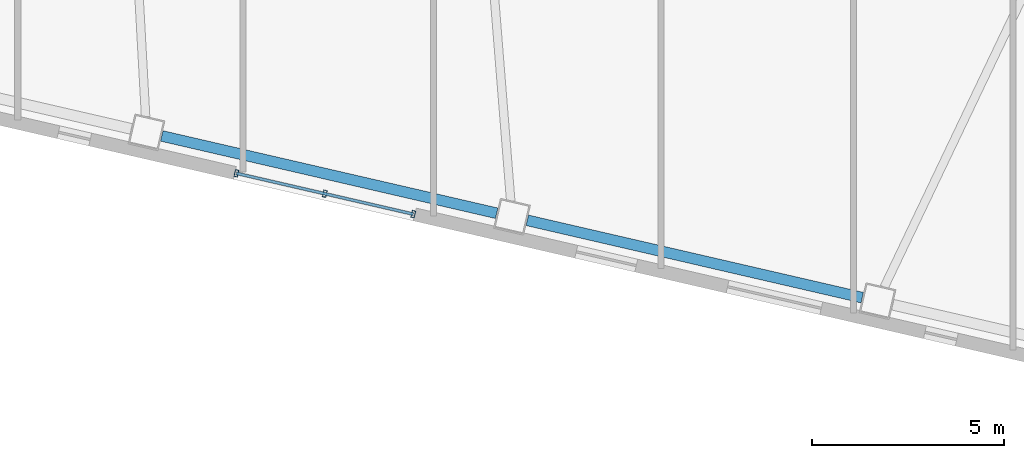
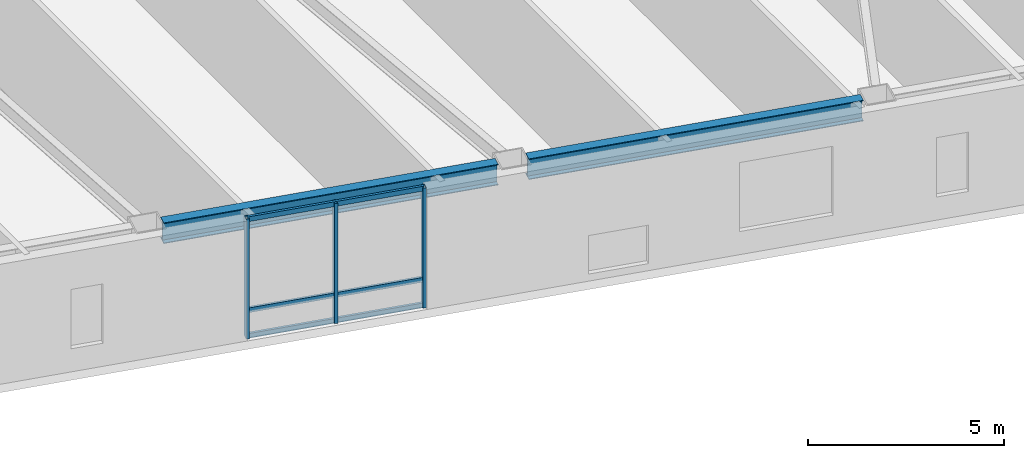
# One storey, part 4 of 19: 6 members, 2 beams, 1 element without a shape of its own.
"""IFC4 building model written with IfcOpenShell, lengths in metres."""

from ifc_helpers import new_model, si_unit, direction, frame, origin, origin_2d, place, context, subcontext, project, spatial, hollow_rectangle, i_section, extrude, material, layer, layer_set, material_profile, profile_set, type_object, element, aggregate, save


model = new_model("IFC4")

# Units and contexts
model_context = context("Model", 3, precision=1e-05, world=origin(), true_north=direction((0.0, 1.0)))
body_context = subcontext(model_context, "Body", "Model", "MODEL_VIEW")
ifc_project = project(units=[si_unit("LENGTHUNIT", "METRE"), si_unit("AREAUNIT", "SQUARE_METRE"), si_unit("VOLUMEUNIT", "CUBIC_METRE"), si_unit("PLANEANGLEUNIT", "RADIAN"), si_unit("MASSUNIT", "GRAM", prefix="KILO")], contexts=[model_context])

# Site, building, storey
site_placement = place(None, origin())
site = spatial("IfcSite", under=ifc_project, at=site_placement, CompositionType="ELEMENT")
building_placement = place(site_placement, origin())
building = spatial("IfcBuilding", under=site, at=building_placement, Name="Tavrogorsk Clinical Tower", CompositionType="ELEMENT")
storey_placement = place(building_placement, frame((0.0, 0.0, 75.39990234375)))
storey = spatial("IfcBuildingStorey", under=building, at=storey_placement, Name="L16", CompositionType="ELEMENT", Elevation=75.39990234375)

# Curtain wall, members
ifc_material_1 = material(Name="Anodised aluminium and triple IGU glazing", Category="aluminium")
ifc_layer = layer(ifc_material_1, 0.179931640625)
ifc_layer_set = layer_set([ifc_layer], Name="Anodised aluminium and triple IGU glazing")
curtain_wall_type = type_object("IfcCurtainWallType", Name="CW3_SouthSlot", PredefinedType="NOTDEFINED", material=ifc_layer_set)
curtain_wall_placement = place(storey_placement, origin())
curtain_wall = element("IfcCurtainWall", 1, at=curtain_wall_placement, inside=storey, type_object=curtain_wall_type, Name="L16 Curtain Wall CW-L16-S-SLOT-2", PredefinedType="NOTDEFINED")
ifc_material_2 = material(Name="Anodised aluminium alloy AW-6060", Category="aluminium")
ifc_material_profile_1 = material_profile(ifc_material_2, hollow_rectangle(XDim=0.090087890625, YDim=0.179931640625, WallThickness=0.00634765625, at=origin_2d()), Name="RHS-180x90x6.3")
ifc_profile_set_1 = profile_set([ifc_material_profile_1], Name="Anodised aluminium alloy AW-6060")
member_type_1 = type_object("IfcMemberType", Name="CwMullion_180x90", PredefinedType="MULLION", material=ifc_profile_set_1)
member_1_placement = place(storey_placement, frame((-0.92041015625, -28.240478515625, 0.0), z_axis=(0.0, 0.0, 1.0), x_axis=(0.974370102963, -0.224950888978, 0.0)))
member_1 = element("IfcMember", 2, at=member_1_placement, type_object=member_type_1, Name="CW-L16-S-SLOT-2 Mullion 1", PredefinedType="MULLION", context=body_context, shape_type="SweptSolid", body=[
    extrude(hollow_rectangle(XDim=0.090087890625, YDim=0.179931640625, WallThickness=0.00634765625, at=origin_2d()), origin(), (0.0, 0.0, 1.0), 3.739990234375),
])
member_2_placement = place(storey_placement, frame((1.378173828125, -28.771240234375, 0.0), z_axis=(0.0, 0.0, 1.0), x_axis=(0.974370102963, -0.224950888978, 0.0)))
member_2 = element("IfcMember", 3, at=member_2_placement, type_object=member_type_1, Name="CW-L16-S-SLOT-2 Mullion 2", PredefinedType="MULLION", context=body_context, shape_type="SweptSolid", body=[
    extrude(hollow_rectangle(XDim=0.090087890625, YDim=0.179931640625, WallThickness=0.00634765625, at=origin_2d()), origin(), (0.0, 0.0, 1.0), 3.739990234375),
])
member_3_placement = place(storey_placement, frame((3.6767578125, -29.3017578125, 0.0), z_axis=(0.0, 0.0, 1.0), x_axis=(0.974370102963, -0.224950888978, 0.0)))
member_3 = element("IfcMember", 4, at=member_3_placement, type_object=member_type_1, Name="CW-L16-S-SLOT-2 Mullion 3", PredefinedType="MULLION", context=body_context, shape_type="SweptSolid", body=[
    extrude(hollow_rectangle(XDim=0.090087890625, YDim=0.179931640625, WallThickness=0.00634765625, at=origin_2d()), origin(), (0.0, 0.0, 1.0), 3.739990234375),
])
ifc_material_3 = material(Name="Anodised aluminium alloy AW-6060", Category="aluminium")
ifc_material_profile_2 = material_profile(ifc_material_3, hollow_rectangle(XDim=0.074951171875, YDim=0.14990234375, WallThickness=0.0048828125, at=origin_2d()), Name="RHS-150x75x5")
ifc_profile_set_2 = profile_set([ifc_material_profile_2], Name="Anodised aluminium alloy AW-6060")
member_type_2 = type_object("IfcMemberType", Name="CwTransom_150x75", PredefinedType="USERDEFINED", material=ifc_profile_set_2)
member_4_placement = place(storey_placement, frame((-0.92041015625, -28.240478515625, 0.050048828125), z_axis=(0.974372877948, -0.22493886885, 0.0), x_axis=(0.22493886885, 0.974372877948, 0.0)))
member_4 = element("IfcMember", 5, at=member_4_placement, type_object=member_type_2, Name="CW-L16-S-SLOT-2 Transom 1", ObjectType="TRANSOM", PredefinedType="USERDEFINED", context=body_context, shape_type="SweptSolid", body=[
    extrude(hollow_rectangle(XDim=0.074951171875, YDim=0.14990234375, WallThickness=0.0048828125, at=origin_2d()), origin(), (0.0, 0.0, 1.0), 4.718017578125),
])
member_5_placement = place(storey_placement, frame((-0.92041015625, -28.240478515625, 0.85009765625), z_axis=(0.974372877948, -0.22493886885, 0.0), x_axis=(0.22493886885, 0.974372877948, 0.0)))
member_5 = element("IfcMember", 6, at=member_5_placement, type_object=member_type_2, Name="CW-L16-S-SLOT-2 Transom 2", ObjectType="TRANSOM", PredefinedType="USERDEFINED", context=body_context, shape_type="SweptSolid", body=[
    extrude(hollow_rectangle(XDim=0.074951171875, YDim=0.14990234375, WallThickness=0.0048828125, at=origin_2d()), origin(), (0.0, 0.0, 1.0), 4.718017578125),
])
member_6_placement = place(storey_placement, frame((-0.92041015625, -28.240478515625, 3.690185546875), z_axis=(0.974372877948, -0.22493886885, 0.0), x_axis=(0.22493886885, 0.974372877948, 0.0)))
member_6 = element("IfcMember", 7, at=member_6_placement, type_object=member_type_2, Name="CW-L16-S-SLOT-2 Transom 3", ObjectType="TRANSOM", PredefinedType="USERDEFINED", context=body_context, shape_type="SweptSolid", body=[
    extrude(hollow_rectangle(XDim=0.074951171875, YDim=0.14990234375, WallThickness=0.0048828125, at=origin_2d()), origin(), (0.0, 0.0, 1.0), 4.718017578125),
])
aggregate(curtain_wall, [member_1, member_2, member_3, member_4, member_5, member_6])

# Beams
ifc_material_4 = material(Name="Structural steel S390", Category="steel")
ifc_material_profile_3 = material_profile(ifc_material_4, i_section(OverallWidth=0.280029296875, OverallDepth=0.64990234375, WebThickness=0.01611328125, FlangeThickness=0.02490234375, at=origin_2d()), Name="B-650x280x16x25")
ifc_profile_set_3 = profile_set([ifc_material_profile_3], Name="Structural steel S390")
beam_type = type_object("IfcBeamType", Name="SpandrelBeam_B650", PredefinedType="SPANDREL", material=ifc_profile_set_3)
for number, where, z_axis, x_axis, name in (
    (8, (-2.85888671875, -27.26953125, 3.4150390625), (0.974372766602, -0.224939351168, 0.0), (0.224939351168, 0.974372766602, 0.0), "L16 Perimeter Spandrel S5-S6"),
    (9, (6.639892578125, -29.46240234375, 3.4150390625), (0.974366775889, -0.224965299645, 0.0), (0.224965299645, 0.974366775889, 0.0), "L16 Perimeter Spandrel S6-S7"),
):
    element("IfcBeam", number, at=place(storey_placement, frame(where, z_axis=z_axis, x_axis=x_axis)), inside=storey, type_object=beam_type, Name=name, PredefinedType="SPANDREL", context=body_context, shape_type="SweptSolid", body=[
        extrude(i_section(OverallWidth=0.280029296875, OverallDepth=0.64990234375, WebThickness=0.01611328125, FlangeThickness=0.02490234375, at=origin_2d()), origin(), (0.0, 0.0, 1.0), 8.9326171875),
    ])

save(model, "model.ifc")
